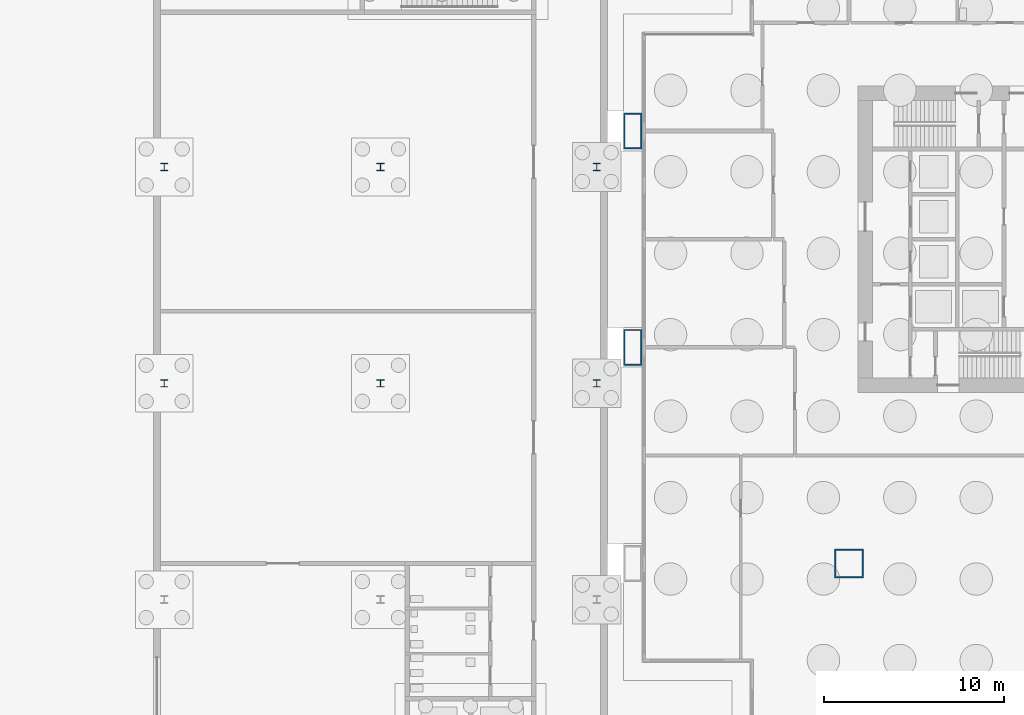
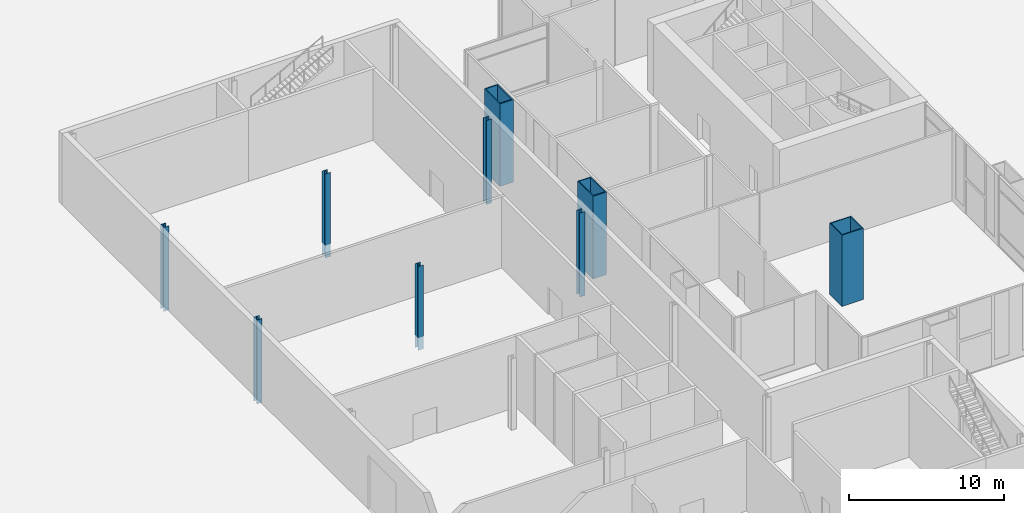
# One storey, part 5 of 29: 9 columns.
"""IFC4 building model written with IfcOpenShell, lengths in metres."""

from ifc_helpers import new_model, si_unit, direction, frame, origin, origin_2d, place, context, subcontext, project, spatial, hollow_rectangle, i_section, extrude, material, material_profile, profile_set, type_object, element, save


model = new_model("IFC4")

# Units and contexts
model_context = context("Model", 3, precision=1e-05, world=origin(), true_north=direction((0.0, 1.0)))
body_context = subcontext(model_context, "Body", "Model", "MODEL_VIEW")
ifc_project = project(units=[si_unit("LENGTHUNIT", "METRE"), si_unit("AREAUNIT", "SQUARE_METRE"), si_unit("VOLUMEUNIT", "CUBIC_METRE"), si_unit("PLANEANGLEUNIT", "RADIAN"), si_unit("MASSUNIT", "GRAM", prefix="KILO")], contexts=[model_context])

# Site, building, storey
site_placement = place(None, origin())
site = spatial("IfcSite", under=ifc_project, at=site_placement, CompositionType="ELEMENT")
building_placement = place(site_placement, origin())
building = spatial("IfcBuilding", under=site, at=building_placement, Name="Kitamizu Gate Tower and Museum", CompositionType="ELEMENT")
storey_placement = place(building_placement, origin())
storey = spatial("IfcBuildingStorey", under=building, at=storey_placement, Name="L00", CompositionType="ELEMENT", Elevation=0.0)

# Columns
ifc_material_1 = material(Name="Steel SM490A", Category="steel")
ifc_material_profile_1 = material_profile(ifc_material_1, hollow_rectangle(XDim=1.60009765625, YDim=1.60009765625, WallThickness=0.070068359375, at=origin_2d()), Name="BOX 1600x1600x70")
ifc_profile_set_1 = profile_set([ifc_material_profile_1], Name="Steel SM490A")
column_type_1 = type_object("IfcColumnType", Name="Interior column IC1 BOX 1600x1600x70", PredefinedType="COLUMN", material=ifc_profile_set_1)
column_placement = place(storey_placement, frame((12.0, 12.0, 0.0), z_axis=(0.0, 0.0, 1.0), x_axis=(1.0, 0.0, 0.0)))
element("IfcColumn", 1, at=column_placement, inside=storey, type_object=column_type_1, Name="Column IC1 2B L00", PredefinedType="COLUMN", context=body_context, shape_type="SweptSolid", body=[
    extrude(hollow_rectangle(XDim=1.60009765625, YDim=1.60009765625, WallThickness=0.070068359375, at=origin_2d()), origin(), (0.0, 0.0, 1.0), 5.60009765625),
])
ifc_material_2 = material(Name="Steel SS400", Category="steel")
ifc_material_profile_2 = material_profile(ifc_material_2, i_section(OverallWidth=0.39990234375, OverallDepth=0.39990234375, WebThickness=0.012939453125, FlangeThickness=0.02099609375, FilletRadius=0.02197265625, at=origin_2d()), Name="H-400x400x13x21")
ifc_profile_set_2 = profile_set([ifc_material_profile_2], Name="Steel SS400")
column_type_2 = type_object("IfcColumnType", Name="Museum column H 400x400x13x21 R 90", PredefinedType="COLUMN", material=ifc_profile_set_2)
for number, where, z_axis, x_axis, name in (
    (2, (-14.0, 22.0, -1.0), (0.0, 0.0, 1.0), (1.0, 0.0, 0.0), "Column M2ME"),
    (3, (-14.0, 34.0, -1.0), (0.0, 0.0, 1.0), (1.0, 0.0, 0.0), "Column M2MF"),
):
    element("IfcColumn", number, at=place(storey_placement, frame(where, z_axis=z_axis, x_axis=x_axis)), inside=storey, type_object=column_type_2, Name=name, PredefinedType="COLUMN", context=body_context, shape_type="SweptSolid", body=[
        extrude(i_section(OverallWidth=0.39990234375, OverallDepth=0.39990234375, WebThickness=0.012939453125, FlangeThickness=0.02099609375, FilletRadius=0.02197265625, at=origin_2d()), origin(), (0.0, 0.0, 1.0), 6.60009765625),
    ])
ifc_material_3 = material(Name="Steel SS400", Category="steel")
ifc_material_profile_3 = material_profile(ifc_material_3, i_section(OverallWidth=0.39990234375, OverallDepth=0.39990234375, WebThickness=0.012939453125, FlangeThickness=0.02099609375, FilletRadius=0.02197265625, at=origin_2d()), Name="H-400x400x13x21")
ifc_profile_set_3 = profile_set([ifc_material_profile_3], Name="Steel SS400")
column_type_3 = type_object("IfcColumnType", Name="Museum perimeter column H 400x400x13x21 R 90", PredefinedType="COLUMN", material=ifc_profile_set_3)
for number, where, z_axis, x_axis, name in (
    (4, (-26.0, 22.0, -1.0), (0.0, 0.0, 1.0), (1.0, 0.0, 0.0), "Column M1ME"),
    (5, (-26.0, 34.0, -1.0), (0.0, 0.0, 1.0), (1.0, 0.0, 0.0), "Column M1MF"),
    (6, (-2.0, 22.0, -1.0), (0.0, 0.0, 1.0), (1.0, 0.0, 0.0), "Column M3ME"),
    (7, (-2.0, 34.0, -1.0), (0.0, 0.0, 1.0), (1.0, 0.0, 0.0), "Column M3MF"),
):
    element("IfcColumn", number, at=place(storey_placement, frame(where, z_axis=z_axis, x_axis=x_axis)), inside=storey, type_object=column_type_3, Name=name, PredefinedType="COLUMN", context=body_context, shape_type="SweptSolid", body=[
        extrude(i_section(OverallWidth=0.39990234375, OverallDepth=0.39990234375, WebThickness=0.012939453125, FlangeThickness=0.02099609375, FilletRadius=0.02197265625, at=origin_2d()), origin(), (0.0, 0.0, 1.0), 6.60009765625),
    ])
ifc_material_4 = material(Name="Steel SM490A bronze coated", Category="steel")
ifc_material_profile_4 = material_profile(ifc_material_4, hollow_rectangle(XDim=2.0, YDim=1.0, WallThickness=0.080078125, at=origin_2d()), Name="BOX 2000x1000x80")
ifc_profile_set_4 = profile_set([ifc_material_profile_4], Name="Steel SM490A bronze coated")
column_type_4 = type_object("IfcColumnType", Name="Podium leg column LC1 BOX 2000x1000x80", PredefinedType="COLUMN", material=ifc_profile_set_4)
for number, where, z_axis, x_axis, name in (
    (8, (0.0, 24.0, -0.89990234375), (0.0, 0.0, 1.0), (0.0, 1.0, 0.0), "Column LC1 1C L00"),
    (9, (0.0, 36.0, -0.89990234375), (0.0, 0.0, 1.0), (0.0, 1.0, 0.0), "Column LC1 1D L00"),
):
    element("IfcColumn", number, at=place(storey_placement, frame(where, z_axis=z_axis, x_axis=x_axis)), inside=storey, type_object=column_type_4, Name=name, PredefinedType="COLUMN", context=body_context, shape_type="SweptSolid", body=[
        extrude(hollow_rectangle(XDim=2.0, YDim=1.0, WallThickness=0.080078125, at=origin_2d()), origin(), (0.0, 0.0, 1.0), 6.5),
    ])

save(model, "model.ifc")
